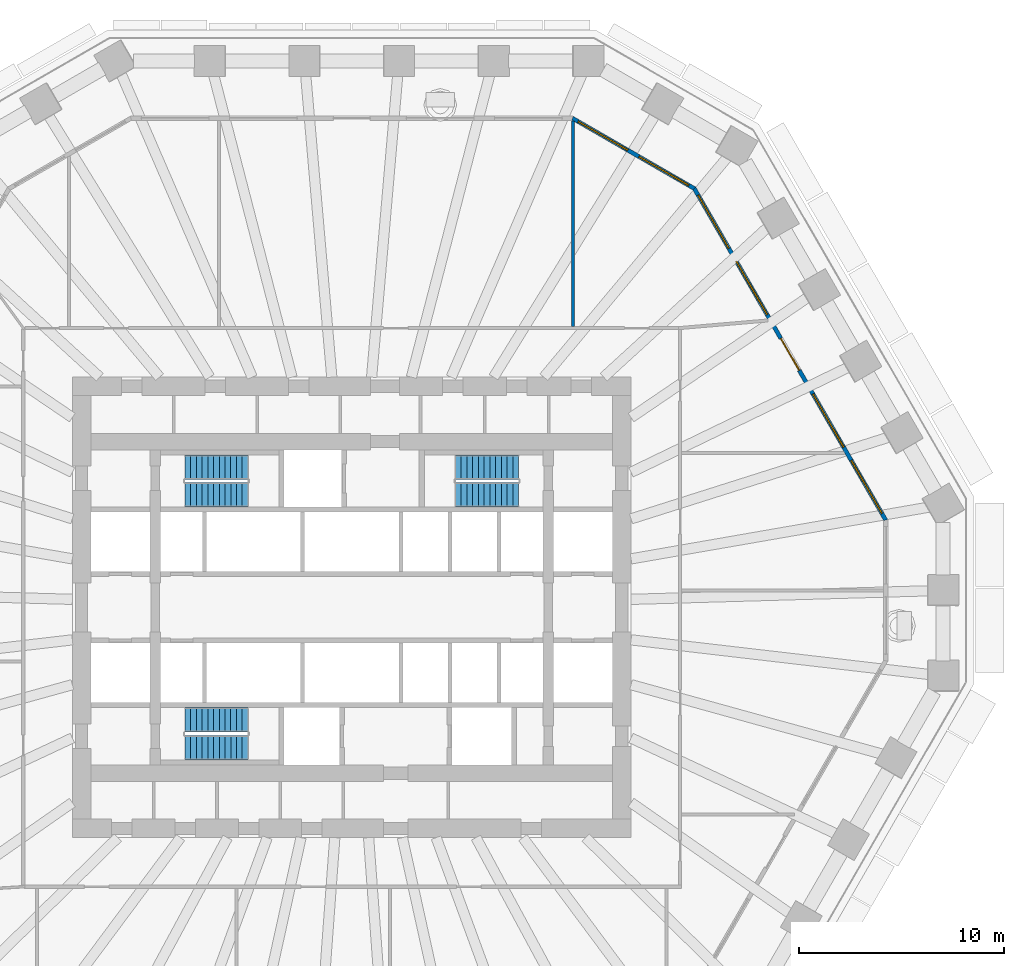
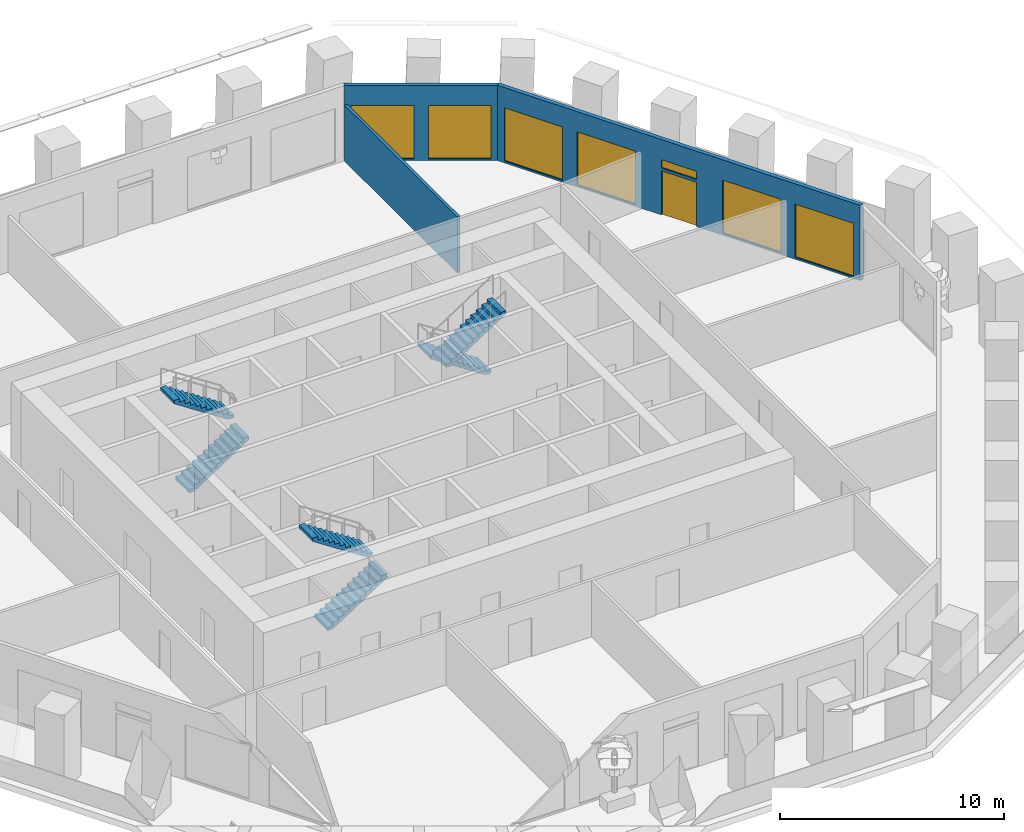
# One storey, part 8 of 12: 7 windows, 6 stair flights, 3 walls, 1 door, 8 openings, 3 elements without a shape of their own.
"""IFC4 building model written with IfcOpenShell, lengths in metres."""

from ifc_helpers import new_model, si_unit, direction, frame, frame_2d, origin, place, context, subcontext, project, spatial, polyline, rectangle, outline, extrude, material, layer, layer_set, type_object, element, fill, aggregate, save


model = new_model("IFC4")

# Units and contexts
model_context = context("Model", 3, precision=1e-05, world=origin(), true_north=direction((0.0, 1.0)))
body_context = subcontext(model_context, "Body", "Model", "MODEL_VIEW")
ifc_project = project(units=[si_unit("LENGTHUNIT", "METRE"), si_unit("AREAUNIT", "SQUARE_METRE"), si_unit("VOLUMEUNIT", "CUBIC_METRE"), si_unit("PLANEANGLEUNIT", "RADIAN"), si_unit("MASSUNIT", "GRAM", prefix="KILO")], contexts=[model_context])

# Site, building, storey
site_placement = place(None, origin())
site = spatial("IfcSite", under=ifc_project, at=site_placement, CompositionType="ELEMENT")
building_placement = place(site_placement, origin())
building = spatial("IfcBuilding", under=site, at=building_placement, Name="Frailejon Research Tower", CompositionType="ELEMENT")
storey_placement = place(building_placement, frame((0.0, 0.0, 41.0)))
storey = spatial("IfcBuildingStorey", under=building, at=storey_placement, Name="L09", CompositionType="ELEMENT", Elevation=41.0)

# Wall
ifc_material_1 = material(Name="Gypsum board and masonry partition", Category="masonry")
ifc_layer_1 = layer(ifc_material_1, 0.14990234375)
ifc_layer_set_1 = layer_set([ifc_layer_1], Name="Laboratory partition, blockwork 150")
wall_type_1 = type_object("IfcWallType", Name="Laboratory partition, blockwork 150", PredefinedType="PARTITIONING", material=ifc_layer_set_1)
wall_1_placement = place(storey_placement, frame((10.814453125, 13.72509765625, 0.0), z_axis=(0.0, 0.0, 1.0), x_axis=(0.0, 1.0, 0.0)))
element("IfcWall", 1, at=wall_1_placement, inside=storey, type_object=wall_type_1, Name="T:IW:L09:008", PredefinedType="PARTITIONING", context=body_context, shape_type="SweptSolid", body=[
    extrude(rectangle(XDim=10.0439453125, YDim=0.14990234375, at=frame_2d((5.02197265625, 0.0))), origin(), (0.0, 0.0, 1.0), 3.050048828125),
])

# Wall, openings, door, windows
ifc_material_2 = material(Name="Concrete C40/50 precast window wall panel", Category="concrete")
ifc_layer_2 = layer(ifc_material_2, 0.199951171875)
ifc_layer_set_2 = layer_set([ifc_layer_2], Name="Window wall 200")
wall_type_2 = type_object("IfcWallType", Name="Window wall 200", PredefinedType="SOLIDWALL", material=ifc_layer_set_2)
wall_2_placement = place(storey_placement, frame((26.091796875, 4.26708984375, 0.0), z_axis=(0.0, 0.0, 1.0), x_axis=(-0.500003086107, 0.866023622012, 0.0)))
wall_2 = element("IfcWall", 2, at=wall_2_placement, inside=storey, type_object=wall_type_2, Name="Exterior wall L09", PredefinedType="SOLIDWALL", context=body_context, shape_type="SweptSolid", body=[
    extrude(outline(polyline([(-0.02685546875, -0.10009765625), (1.01513671875, -0.10009765625), (2.05712890625, -0.10009765625), (3.098876953125, -0.10009765625), (4.140869140625, -0.10009765625), (5.182861328125, -0.10009765625), (6.224853515625, -0.10009765625), (7.2666015625, -0.10009765625), (8.30859375, -0.10009765625), (9.3505859375, -0.10009765625), (10.392578125, -0.10009765625), (11.4345703125, -0.10009765625), (12.476318359375, -0.10009765625), (13.518310546875, -0.10009765625), (14.560302734375, -0.10009765625), (15.602294921875, -0.10009765625), (16.64404296875, -0.10009765625), (17.68603515625, -0.10009765625), (18.72802734375, -0.10009765625), (18.67431640625, 0.10009765625), (17.638427734375, 0.10009765625), (16.602294921875, 0.10009765625), (15.56640625, 0.10009765625), (14.530517578125, 0.10009765625), (13.494384765625, 0.10009765625), (12.45849609375, 0.10009765625), (11.422607421875, 0.10009765625), (10.386474609375, 0.10009765625), (9.3505859375, 0.10009765625), (8.314697265625, 0.10009765625), (7.278564453125, 0.10009765625), (6.24267578125, 0.10009765625), (5.206787109375, 0.10009765625), (4.170654296875, 0.10009765625), (3.134765625, 0.10009765625), (2.098876953125, 0.10009765625), (1.062744140625, 0.10009765625), (0.02685546875, 0.10009765625), (-0.02685546875, -0.10009765625)])), origin(), (0.0, 0.0, 1.0), 4.10009765625),
])
opening_1_placement = place(wall_2_placement, frame((0.3701171875, 0.0, 0.10009765625)))
opening_1 = element("IfcOpeningElement", 3, at=opening_1_placement, cuts=wall_2, Name="Opening W4", PredefinedType="OPENING", context=body_context, shape_type="SweptSolid", body=[
    extrude(rectangle(XDim=3.0, YDim=2.89990234375, at=frame_2d((1.5, 1.449951171875))), frame((0.0, 0.10986328125, 0.0), z_axis=(0.0, -1.0, 0.0), x_axis=(1.0, 0.0, 0.0)), (0.0, 0.0, 1.0), 0.219970703125),
])
opening_2_placement = place(wall_2_placement, frame((4.1103515625, 0.0, 0.10009765625)))
opening_2 = element("IfcOpeningElement", 4, at=opening_2_placement, cuts=wall_2, Name="Opening W4", PredefinedType="OPENING", context=body_context, shape_type="SweptSolid", body=[
    extrude(rectangle(XDim=3.0, YDim=2.89990234375, at=frame_2d((1.5, 1.449951171875))), frame((0.0, 0.10986328125, 0.0), z_axis=(0.0, -1.0, 0.0), x_axis=(1.0, 0.0, 0.0)), (0.0, 0.0, 1.0), 0.219970703125),
])
opening_3_placement = place(wall_2_placement, frame((8.45068359375, 0.0, 0.0)))
opening_3 = element("IfcOpeningElement", 5, at=opening_3_placement, cuts=wall_2, Name="Opening LG09-1", PredefinedType="OPENING", context=body_context, shape_type="SweptSolid", body=[
    extrude(rectangle(XDim=1.800048828125, YDim=2.39990234375, at=frame_2d((0.89990234375, 1.199951171875))), frame((0.0, 0.10986328125, 0.0), z_axis=(0.0, -1.0, 0.0), x_axis=(1.0, 0.0, 0.0)), (0.0, 0.0, 1.0), 0.219970703125),
])
opening_4_placement = place(wall_2_placement, frame((8.45068359375, 0.0, 2.550048828125)))
opening_4 = element("IfcOpeningElement", 6, at=opening_4_placement, cuts=wall_2, Name="Opening W1", PredefinedType="OPENING", context=body_context, shape_type="SweptSolid", body=[
    extrude(rectangle(XDim=1.800048828125, YDim=0.449951171875, at=frame_2d((0.89990234375, 0.22509765625))), frame((0.0, 0.10986328125, 0.0), z_axis=(0.0, -1.0, 0.0), x_axis=(1.0, 0.0, 0.0)), (0.0, 0.0, 1.0), 0.219970703125),
])
opening_5_placement = place(wall_2_placement, frame((11.5908203125, 0.0, 0.10009765625)))
opening_5 = element("IfcOpeningElement", 7, at=opening_5_placement, cuts=wall_2, Name="Opening W4", PredefinedType="OPENING", context=body_context, shape_type="SweptSolid", body=[
    extrude(rectangle(XDim=3.0, YDim=2.89990234375, at=frame_2d((1.5, 1.449951171875))), frame((0.0, 0.10986328125, 0.0), z_axis=(0.0, -1.0, 0.0), x_axis=(1.0, 0.0, 0.0)), (0.0, 0.0, 1.0), 0.219970703125),
])
opening_6_placement = place(wall_2_placement, frame((15.3310546875, 0.0, 0.10009765625)))
opening_6 = element("IfcOpeningElement", 8, at=opening_6_placement, cuts=wall_2, Name="Opening W4", PredefinedType="OPENING", context=body_context, shape_type="SweptSolid", body=[
    extrude(rectangle(XDim=3.0, YDim=2.89990234375, at=frame_2d((1.5, 1.449951171875))), frame((0.0, 0.10986328125, 0.0), z_axis=(0.0, -1.0, 0.0), x_axis=(1.0, 0.0, 0.0)), (0.0, 0.0, 1.0), 0.219970703125),
])
ifc_material_3 = material(Name="Aluminium framed glazed door leaf", Category="aluminium")
door_type = type_object("IfcDoorType", Name="Loggia door 1800x2400", OperationType="DOUBLE_DOOR_SINGLE_SWING", PredefinedType="DOOR", material=ifc_material_3)
door_placement = place(opening_3_placement, origin())
door = element("IfcDoor", 9, at=door_placement, inside=storey, type_object=door_type, Name="Door LG09-1", OperationType="DOUBLE_DOOR_SINGLE_SWING", OverallHeight=2.39990234375, OverallWidth=1.800048828125, PredefinedType="DOOR", context=body_context, shape_type="SweptSolid", body=[
    extrude(rectangle(XDim=1.800048828125, YDim=2.39990234375, at=frame_2d((0.89990234375, 1.199951171875))), frame((0.0, 0.02490234375, 0.0), z_axis=(0.0, -1.0, 0.0), x_axis=(1.0, 0.0, 0.0)), (0.0, 0.0, 1.0), 0.050048828125),
])
fill(opening_3, door)
ifc_material_4 = material(Name="Aluminium framed double glazing", Category="aluminium")
window_type_1 = type_object("IfcWindowType", Name="Window 1800x450", PartitioningType="SINGLE_PANEL", PredefinedType="WINDOW", material=ifc_material_4)
window_1_placement = place(opening_4_placement, origin())
window_1 = element("IfcWindow", 10, at=window_1_placement, inside=storey, type_object=window_type_1, Name="Window L09", OverallHeight=0.449951171875, OverallWidth=1.800048828125, PartitioningType="SINGLE_PANEL", PredefinedType="WINDOW", context=body_context, shape_type="SweptSolid", body=[
    extrude(rectangle(XDim=1.800048828125, YDim=0.449951171875, at=frame_2d((0.89990234375, 0.22509765625))), frame((0.0, 0.030029296875, 0.0), z_axis=(0.0, -1.0, 0.0), x_axis=(1.0, 0.0, 0.0)), (0.0, 0.0, 1.0), 0.06005859375),
])
fill(opening_4, window_1)
ifc_material_5 = material(Name="Aluminium framed double glazing", Category="aluminium")
window_type_2 = type_object("IfcWindowType", Name="Window 3000x2900", PartitioningType="SINGLE_PANEL", PredefinedType="WINDOW", material=ifc_material_5)
window_2_placement = place(opening_1_placement, origin())
window_2 = element("IfcWindow", 11, at=window_2_placement, inside=storey, type_object=window_type_2, Name="Window L09", OverallHeight=2.89990234375, OverallWidth=3.0, PartitioningType="SINGLE_PANEL", PredefinedType="WINDOW", context=body_context, shape_type="SweptSolid", body=[
    extrude(rectangle(XDim=3.0, YDim=2.89990234375, at=frame_2d((1.5, 1.449951171875))), frame((0.0, 0.030029296875, 0.0), z_axis=(0.0, -1.0, 0.0), x_axis=(1.0, 0.0, 0.0)), (0.0, 0.0, 1.0), 0.06005859375),
])
fill(opening_1, window_2)
window_3_placement = place(opening_2_placement, origin())
window_3 = element("IfcWindow", 12, at=window_3_placement, inside=storey, type_object=window_type_2, Name="Window L09", OverallHeight=2.89990234375, OverallWidth=3.0, PartitioningType="SINGLE_PANEL", PredefinedType="WINDOW", context=body_context, shape_type="SweptSolid", body=[
    extrude(rectangle(XDim=3.0, YDim=2.89990234375, at=frame_2d((1.5, 1.449951171875))), frame((0.0, 0.030029296875, 0.0), z_axis=(0.0, -1.0, 0.0), x_axis=(1.0, 0.0, 0.0)), (0.0, 0.0, 1.0), 0.06005859375),
])
fill(opening_2, window_3)
window_4_placement = place(opening_5_placement, origin())
window_4 = element("IfcWindow", 13, at=window_4_placement, inside=storey, type_object=window_type_2, Name="Window L09", OverallHeight=2.89990234375, OverallWidth=3.0, PartitioningType="SINGLE_PANEL", PredefinedType="WINDOW", context=body_context, shape_type="SweptSolid", body=[
    extrude(rectangle(XDim=3.0, YDim=2.89990234375, at=frame_2d((1.5, 1.449951171875))), frame((0.0, 0.030029296875, 0.0), z_axis=(0.0, -1.0, 0.0), x_axis=(1.0, 0.0, 0.0)), (0.0, 0.0, 1.0), 0.06005859375),
])
fill(opening_5, window_4)
window_5_placement = place(opening_6_placement, origin())
window_5 = element("IfcWindow", 14, at=window_5_placement, inside=storey, type_object=window_type_2, Name="Window L09", OverallHeight=2.89990234375, OverallWidth=3.0, PartitioningType="SINGLE_PANEL", PredefinedType="WINDOW", context=body_context, shape_type="SweptSolid", body=[
    extrude(rectangle(XDim=3.0, YDim=2.89990234375, at=frame_2d((1.5, 1.449951171875))), frame((0.0, 0.030029296875, 0.0), z_axis=(0.0, -1.0, 0.0), x_axis=(1.0, 0.0, 0.0)), (0.0, 0.0, 1.0), 0.06005859375),
])
fill(opening_6, window_5)

# Wall, openings, windows
wall_3_placement = place(storey_placement, frame((16.7412109375, 20.462646484375, 0.0), z_axis=(0.0, 0.0, 1.0), x_axis=(-0.866029458321, 0.49999297727, 0.0)))
wall_3 = element("IfcWall", 15, at=wall_3_placement, inside=storey, type_object=wall_type_2, Name="Exterior wall L09", PredefinedType="SOLIDWALL", context=body_context, shape_type="SweptSolid", body=[
    extrude(outline(polyline([(-0.02685546875, -0.10009765625), (1.1279296875, -0.10009765625), (2.282470703125, -0.10009765625), (3.437255859375, -0.10009765625), (4.592041015625, -0.10009765625), (5.74658203125, -0.10009765625), (6.9013671875, -0.10009765625), (6.84765625, 0.10009765625), (5.7109375, 0.10009765625), (4.573974609375, 0.10009765625), (3.437255859375, 0.10009765625), (2.300537109375, 0.10009765625), (1.16357421875, 0.10009765625), (0.02685546875, 0.10009765625), (-0.02685546875, -0.10009765625)])), origin(), (0.0, 0.0, 1.0), 4.10009765625),
])
opening_7_placement = place(wall_3_placement, frame((0.318603515625, 0.0, 0.10009765625)))
opening_7 = element("IfcOpeningElement", 16, at=opening_7_placement, cuts=wall_3, Name="Opening W3", PredefinedType="OPENING", context=body_context, shape_type="SweptSolid", body=[
    extrude(rectangle(XDim=2.800048828125, YDim=2.89990234375, at=frame_2d((1.39990234375, 1.449951171875))), frame((0.0, 0.10986328125, 0.0), z_axis=(0.0, -1.0, 0.0), x_axis=(1.0, 0.0, 0.0)), (0.0, 0.0, 1.0), 0.219970703125),
])
opening_8_placement = place(wall_3_placement, frame((3.756103515625, 0.0, 0.10009765625)))
opening_8 = element("IfcOpeningElement", 17, at=opening_8_placement, cuts=wall_3, Name="Opening W3", PredefinedType="OPENING", context=body_context, shape_type="SweptSolid", body=[
    extrude(rectangle(XDim=2.800048828125, YDim=2.89990234375, at=frame_2d((1.39990234375, 1.449951171875))), frame((0.0, 0.10986328125, 0.0), z_axis=(0.0, -1.0, 0.0), x_axis=(1.0, 0.0, 0.0)), (0.0, 0.0, 1.0), 0.219970703125),
])
ifc_material_6 = material(Name="Aluminium framed double glazing", Category="aluminium")
window_type_3 = type_object("IfcWindowType", Name="Window 2800x2900", PartitioningType="SINGLE_PANEL", PredefinedType="WINDOW", material=ifc_material_6)
window_6_placement = place(opening_7_placement, origin())
window_6 = element("IfcWindow", 18, at=window_6_placement, inside=storey, type_object=window_type_3, Name="Window L09", OverallHeight=2.89990234375, OverallWidth=2.800048828125, PartitioningType="SINGLE_PANEL", PredefinedType="WINDOW", context=body_context, shape_type="SweptSolid", body=[
    extrude(rectangle(XDim=2.800048828125, YDim=2.89990234375, at=frame_2d((1.39990234375, 1.449951171875))), frame((0.0, 0.030029296875, 0.0), z_axis=(0.0, -1.0, 0.0), x_axis=(1.0, 0.0, 0.0)), (0.0, 0.0, 1.0), 0.06005859375),
])
fill(opening_7, window_6)
window_7_placement = place(opening_8_placement, origin())
window_7 = element("IfcWindow", 19, at=window_7_placement, inside=storey, type_object=window_type_3, Name="Window L09", OverallHeight=2.89990234375, OverallWidth=2.800048828125, PartitioningType="SINGLE_PANEL", PredefinedType="WINDOW", context=body_context, shape_type="SweptSolid", body=[
    extrude(rectangle(XDim=2.800048828125, YDim=2.89990234375, at=frame_2d((1.39990234375, 1.449951171875))), frame((0.0, 0.030029296875, 0.0), z_axis=(0.0, -1.0, 0.0), x_axis=(1.0, 0.0, 0.0)), (0.0, 0.0, 1.0), 0.06005859375),
])
fill(opening_8, window_7)

# Stair, stair flights
ifc_material_7 = material(Name="Concrete C50/60", Category="concrete")
stair_type = type_object("IfcStairType", Name="Exit stair 24 risers", PredefinedType="HALF_TURN_STAIR", material=ifc_material_7)
stair_1_placement = place(storey_placement, origin())
stair_1 = element("IfcStair", 20, at=stair_1_placement, inside=storey, type_object=stair_type, Name="L09 Exit stair ST1", PredefinedType="HALF_TURN_STAIR")
ifc_material_8 = material(Name="Concrete C50/60", Category="concrete")
ifc_layer_3 = layer(ifc_material_8, 0.14990234375)
ifc_layer_set_3 = layer_set([ifc_layer_3], Name="Stair flight 12 risers")
stair_flight_type = type_object("IfcStairFlightType", Name="Stair flight 12 risers", PredefinedType="STRAIGHT", material=ifc_layer_set_3)
stair_flight_1_placement = place(storey_placement, frame((-8.14990234375, 5.5, 0.0), z_axis=(0.0, 0.0, 1.0), x_axis=(1.0, 0.0, 0.0)))
stair_flight_1 = element("IfcStairFlight", 21, at=stair_flight_1_placement, type_object=stair_flight_type, Name="ST1 flight 1", NumberOfRisers=12, NumberOfTreads=11, PredefinedType="STRAIGHT", RiserHeight=0.183333333, TreadLength=0.28, context=body_context, shape_type="SweptSolid", body=[
    extrude(outline(polyline([(0.0, 0.0), (0.0, 0.183349609375), (0.280029296875, 0.183349609375), (0.280029296875, 0.36669921875), (0.56005859375, 0.36669921875), (0.56005859375, 0.550048828125), (0.840087890625, 0.550048828125), (0.840087890625, 0.7333984375), (1.1201171875, 0.7333984375), (1.1201171875, 0.916748046875), (1.39990234375, 0.916748046875), (1.39990234375, 1.10009765625), (1.679931640625, 1.10009765625), (1.679931640625, 1.283447265625), (1.9599609375, 1.283447265625), (1.9599609375, 1.466552734375), (2.239990234375, 1.466552734375), (2.239990234375, 1.64990234375), (2.52001953125, 1.64990234375), (2.52001953125, 1.833251953125), (2.800048828125, 1.833251953125), (2.800048828125, 2.0166015625), (3.080078125, 2.0166015625), (3.080078125, 2.199951171875), (3.080078125, 1.83740234375), (0.273681640625, 0.0), (0.0, 0.0)])), frame((0.0, 0.60009765625, 0.0), z_axis=(0.0, -1.0, 0.0), x_axis=(1.0, 0.0, 0.0)), (0.0, 0.0, 1.0), 1.199951171875),
])
stair_flight_2_placement = place(storey_placement, frame((-5.070068359375, 6.85009765625, 2.199951171875), z_axis=(0.0, 0.0, 1.0), x_axis=(-1.0, 0.0, 0.0)))
stair_flight_2 = element("IfcStairFlight", 22, at=stair_flight_2_placement, type_object=stair_flight_type, Name="ST1 flight 2", NumberOfRisers=12, NumberOfTreads=11, PredefinedType="STRAIGHT", RiserHeight=0.183333333, TreadLength=0.28, context=body_context, shape_type="SweptSolid", body=[
    extrude(outline(polyline([(0.0, 0.0), (0.0, 0.183349609375), (0.280029296875, 0.183349609375), (0.280029296875, 0.36669921875), (0.56005859375, 0.36669921875), (0.56005859375, 0.550048828125), (0.840087890625, 0.550048828125), (0.840087890625, 0.7333984375), (1.1201171875, 0.7333984375), (1.1201171875, 0.916748046875), (1.39990234375, 0.916748046875), (1.39990234375, 1.10009765625), (1.679931640625, 1.10009765625), (1.679931640625, 1.283447265625), (1.9599609375, 1.283447265625), (1.9599609375, 1.466552734375), (2.239990234375, 1.466552734375), (2.239990234375, 1.64990234375), (2.52001953125, 1.64990234375), (2.52001953125, 1.833251953125), (2.800048828125, 1.833251953125), (2.800048828125, 2.0166015625), (3.080078125, 2.0166015625), (3.080078125, 2.199951171875), (3.080078125, 1.83740234375), (0.273681640625, 0.0), (0.0, 0.0)])), frame((0.0, 0.60009765625, 0.0), z_axis=(0.0, -1.0, 0.0), x_axis=(1.0, 0.0, 0.0)), (0.0, 0.0, 1.0), 1.199951171875),
])
aggregate(stair_1, [stair_flight_1, stair_flight_2])

stair_2_placement = place(storey_placement, origin())
stair_2 = element("IfcStair", 23, at=stair_2_placement, inside=storey, type_object=stair_type, Name="L09 Exit stair ST2", PredefinedType="HALF_TURN_STAIR")
stair_flight_3_placement = place(storey_placement, frame((-8.14990234375, -6.85009765625, 0.0), z_axis=(0.0, 0.0, 1.0), x_axis=(1.0, 0.0, 0.0)))
stair_flight_3 = element("IfcStairFlight", 24, at=stair_flight_3_placement, type_object=stair_flight_type, Name="ST2 flight 1", NumberOfRisers=12, NumberOfTreads=11, PredefinedType="STRAIGHT", RiserHeight=0.183333333, TreadLength=0.28, context=body_context, shape_type="SweptSolid", body=[
    extrude(outline(polyline([(0.0, 0.0), (0.0, 0.183349609375), (0.280029296875, 0.183349609375), (0.280029296875, 0.36669921875), (0.56005859375, 0.36669921875), (0.56005859375, 0.550048828125), (0.840087890625, 0.550048828125), (0.840087890625, 0.7333984375), (1.1201171875, 0.7333984375), (1.1201171875, 0.916748046875), (1.39990234375, 0.916748046875), (1.39990234375, 1.10009765625), (1.679931640625, 1.10009765625), (1.679931640625, 1.283447265625), (1.9599609375, 1.283447265625), (1.9599609375, 1.466552734375), (2.239990234375, 1.466552734375), (2.239990234375, 1.64990234375), (2.52001953125, 1.64990234375), (2.52001953125, 1.833251953125), (2.800048828125, 1.833251953125), (2.800048828125, 2.0166015625), (3.080078125, 2.0166015625), (3.080078125, 2.199951171875), (3.080078125, 1.83740234375), (0.273681640625, 0.0), (0.0, 0.0)])), frame((0.0, 0.60009765625, 0.0), z_axis=(0.0, -1.0, 0.0), x_axis=(1.0, 0.0, 0.0)), (0.0, 0.0, 1.0), 1.199951171875),
])
stair_flight_4_placement = place(storey_placement, frame((-5.070068359375, -5.5, 2.199951171875), z_axis=(0.0, 0.0, 1.0), x_axis=(-1.0, 0.0, 0.0)))
stair_flight_4 = element("IfcStairFlight", 25, at=stair_flight_4_placement, type_object=stair_flight_type, Name="ST2 flight 2", NumberOfRisers=12, NumberOfTreads=11, PredefinedType="STRAIGHT", RiserHeight=0.183333333, TreadLength=0.28, context=body_context, shape_type="SweptSolid", body=[
    extrude(outline(polyline([(0.0, 0.0), (0.0, 0.183349609375), (0.280029296875, 0.183349609375), (0.280029296875, 0.36669921875), (0.56005859375, 0.36669921875), (0.56005859375, 0.550048828125), (0.840087890625, 0.550048828125), (0.840087890625, 0.7333984375), (1.1201171875, 0.7333984375), (1.1201171875, 0.916748046875), (1.39990234375, 0.916748046875), (1.39990234375, 1.10009765625), (1.679931640625, 1.10009765625), (1.679931640625, 1.283447265625), (1.9599609375, 1.283447265625), (1.9599609375, 1.466552734375), (2.239990234375, 1.466552734375), (2.239990234375, 1.64990234375), (2.52001953125, 1.64990234375), (2.52001953125, 1.833251953125), (2.800048828125, 1.833251953125), (2.800048828125, 2.0166015625), (3.080078125, 2.0166015625), (3.080078125, 2.199951171875), (3.080078125, 1.83740234375), (0.273681640625, 0.0), (0.0, 0.0)])), frame((0.0, 0.60009765625, 0.0), z_axis=(0.0, -1.0, 0.0), x_axis=(1.0, 0.0, 0.0)), (0.0, 0.0, 1.0), 1.199951171875),
])
aggregate(stair_2, [stair_flight_3, stair_flight_4])

stair_3_placement = place(storey_placement, origin())
stair_3 = element("IfcStair", 26, at=stair_3_placement, inside=storey, type_object=stair_type, Name="L09 Exit stair ST3", PredefinedType="HALF_TURN_STAIR")
stair_flight_5_placement = place(storey_placement, frame((8.14990234375, 6.85009765625, 0.0), z_axis=(0.0, 0.0, 1.0), x_axis=(-1.0, 0.0, 0.0)))
stair_flight_5 = element("IfcStairFlight", 27, at=stair_flight_5_placement, type_object=stair_flight_type, Name="ST3 flight 1", NumberOfRisers=12, NumberOfTreads=11, PredefinedType="STRAIGHT", RiserHeight=0.183333333, TreadLength=0.28, context=body_context, shape_type="SweptSolid", body=[
    extrude(outline(polyline([(0.0, 0.0), (0.0, 0.183349609375), (0.280029296875, 0.183349609375), (0.280029296875, 0.36669921875), (0.56005859375, 0.36669921875), (0.56005859375, 0.550048828125), (0.840087890625, 0.550048828125), (0.840087890625, 0.7333984375), (1.1201171875, 0.7333984375), (1.1201171875, 0.916748046875), (1.39990234375, 0.916748046875), (1.39990234375, 1.10009765625), (1.679931640625, 1.10009765625), (1.679931640625, 1.283447265625), (1.9599609375, 1.283447265625), (1.9599609375, 1.466552734375), (2.239990234375, 1.466552734375), (2.239990234375, 1.64990234375), (2.52001953125, 1.64990234375), (2.52001953125, 1.833251953125), (2.800048828125, 1.833251953125), (2.800048828125, 2.0166015625), (3.080078125, 2.0166015625), (3.080078125, 2.199951171875), (3.080078125, 1.83740234375), (0.273681640625, 0.0), (0.0, 0.0)])), frame((0.0, 0.60009765625, 0.0), z_axis=(0.0, -1.0, 0.0), x_axis=(1.0, 0.0, 0.0)), (0.0, 0.0, 1.0), 1.199951171875),
])
stair_flight_6_placement = place(storey_placement, frame((5.070068359375, 5.5, 2.199951171875), z_axis=(0.0, 0.0, 1.0), x_axis=(1.0, 0.0, 0.0)))
stair_flight_6 = element("IfcStairFlight", 28, at=stair_flight_6_placement, type_object=stair_flight_type, Name="ST3 flight 2", NumberOfRisers=12, NumberOfTreads=11, PredefinedType="STRAIGHT", RiserHeight=0.183333333, TreadLength=0.28, context=body_context, shape_type="SweptSolid", body=[
    extrude(outline(polyline([(0.0, 0.0), (0.0, 0.183349609375), (0.280029296875, 0.183349609375), (0.280029296875, 0.36669921875), (0.56005859375, 0.36669921875), (0.56005859375, 0.550048828125), (0.840087890625, 0.550048828125), (0.840087890625, 0.7333984375), (1.1201171875, 0.7333984375), (1.1201171875, 0.916748046875), (1.39990234375, 0.916748046875), (1.39990234375, 1.10009765625), (1.679931640625, 1.10009765625), (1.679931640625, 1.283447265625), (1.9599609375, 1.283447265625), (1.9599609375, 1.466552734375), (2.239990234375, 1.466552734375), (2.239990234375, 1.64990234375), (2.52001953125, 1.64990234375), (2.52001953125, 1.833251953125), (2.800048828125, 1.833251953125), (2.800048828125, 2.0166015625), (3.080078125, 2.0166015625), (3.080078125, 2.199951171875), (3.080078125, 1.83740234375), (0.273681640625, 0.0), (0.0, 0.0)])), frame((0.0, 0.60009765625, 0.0), z_axis=(0.0, -1.0, 0.0), x_axis=(1.0, 0.0, 0.0)), (0.0, 0.0, 1.0), 1.199951171875),
])
aggregate(stair_3, [stair_flight_5, stair_flight_6])

save(model, "model.ifc")
